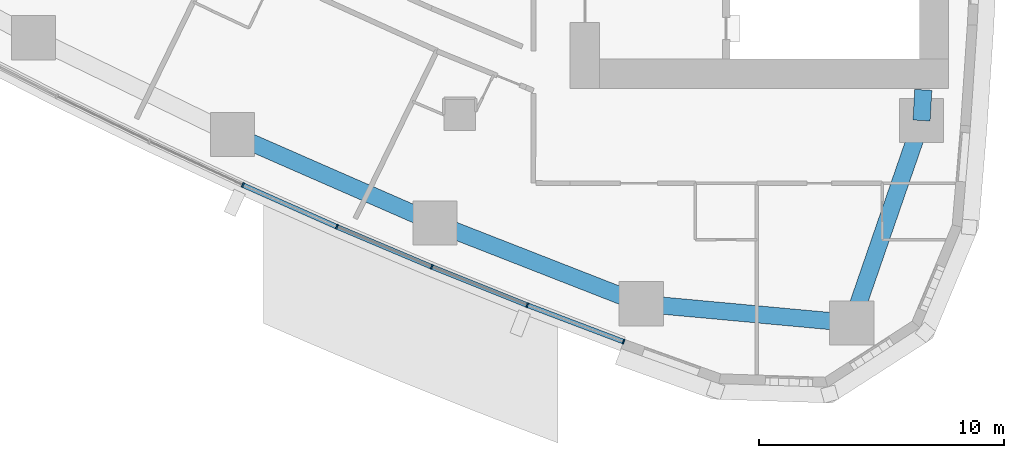
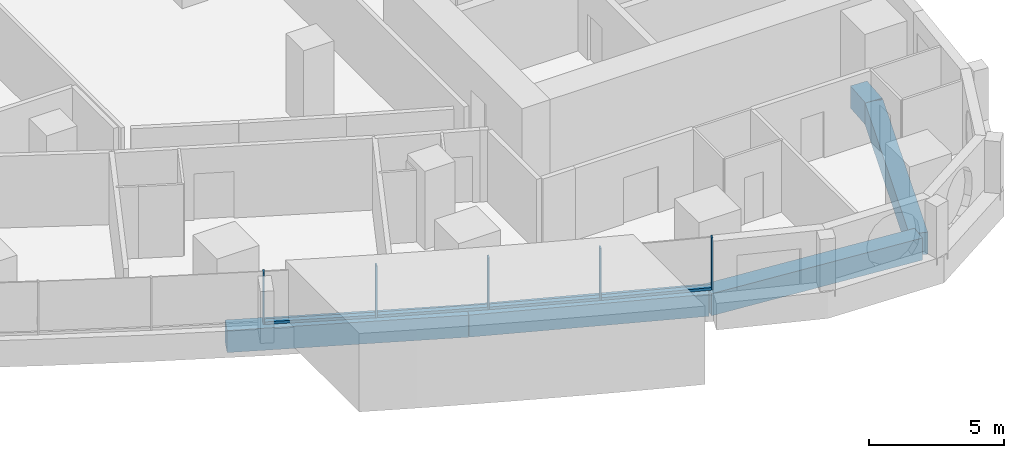
# One storey, part 3 of 19: 9 members, 5 beams, 3 elements without a shape of their own.
"""IFC4 building model written with IfcOpenShell, lengths in metres."""

from ifc_helpers import new_model, si_unit, direction, frame, origin, origin_2d, place, context, subcontext, project, spatial, rectangle, extrude, material, layer, layer_set, material_profile, profile_set, type_object, element, aggregate, save


model = new_model("IFC4")

# Units and contexts
model_context = context("Model", 3, precision=1e-05, world=origin(), true_north=direction((0.0, 1.0)))
body_context = subcontext(model_context, "Body", "Model", "MODEL_VIEW")
ifc_project = project(units=[si_unit("LENGTHUNIT", "METRE"), si_unit("AREAUNIT", "SQUARE_METRE"), si_unit("VOLUMEUNIT", "CUBIC_METRE"), si_unit("PLANEANGLEUNIT", "RADIAN"), si_unit("MASSUNIT", "GRAM", prefix="KILO")], contexts=[model_context])

# Site, building, storey
site_placement = place(None, origin())
site = spatial("IfcSite", under=ifc_project, at=site_placement, CompositionType="ELEMENT")
building_placement = place(site_placement, origin())
building = spatial("IfcBuilding", under=site, at=building_placement, Name="Ostrand Prow Hotel Tower", CompositionType="ELEMENT")
storey_placement = place(building_placement, frame((0.0, 0.0, 64.449951171875)))
storey = spatial("IfcBuildingStorey", under=building, at=storey_placement, Name="L14", CompositionType="ELEMENT", Elevation=64.449951171875)

# Beams
ifc_material_1 = material(Name="Concrete C80/95", Category="concrete")
ifc_material_profile_1 = material_profile(ifc_material_1, rectangle(XDim=0.699951171875, YDim=1.0, at=origin_2d()), Name="RC 700x1000")
ifc_profile_set_1 = profile_set([ifc_material_profile_1], Name="Concrete C80/95")
beam_type = type_object("IfcBeamType", Name="Edge beam 700x1000 C80/95", PredefinedType="SPANDREL", material=ifc_profile_set_1)
for number, where, z_axis, x_axis, name in (
    (1, (35.7412109375, -18.814208984375, -0.800048828125), (0.916095776162, -0.400959510297, 0.0), (0.400959510297, 0.916095776162, 0.0), "Edge beam S4-S5"),
    (2, (43.997802734375, -22.427978515625, -0.800048828125), (0.931329480916, -0.364177701098, 0.0), (0.364177701098, 0.931329480916, 0.0), "Edge beam S5-S6"),
):
    element("IfcBeam", number, at=place(storey_placement, frame(where, z_axis=z_axis, x_axis=x_axis)), inside=storey, type_object=beam_type, Name=name, PredefinedType="SPANDREL", context=body_context, shape_type="SweptSolid", body=[
        extrude(rectangle(XDim=0.699951171875, YDim=1.0, at=origin_2d()), origin(), (0.0, 0.0, 1.0), 9.0126953125),
    ])
beam_1_placement = place(storey_placement, frame((52.3916015625, -25.710205078125, -0.800048828125), z_axis=(0.995800189514, -0.091553167961, 0.0), x_axis=(0.091553167961, 0.995800189514, 0.0)))
element("IfcBeam", 3, at=beam_1_placement, inside=storey, type_object=beam_type, Name="Edge beam S6-SE", PredefinedType="SPANDREL", context=body_context, shape_type="SweptSolid", body=[
    extrude(rectangle(XDim=0.699951171875, YDim=1.0, at=origin_2d()), origin(), (0.0, 0.0, 1.0), 8.610595703125),
])
beam_2_placement = place(storey_placement, frame((60.966064453125, -26.49853515625, -0.800048828125), z_axis=(0.326263961413, 0.945278703602, 0.0), x_axis=(-0.945278703602, 0.326263961413, 0.0)))
element("IfcBeam", 4, at=beam_2_placement, inside=storey, type_object=beam_type, Name="Edge beam SE-B1", PredefinedType="SPANDREL", context=body_context, shape_type="SweptSolid", body=[
    extrude(rectangle(XDim=0.699951171875, YDim=1.0, at=origin_2d()), origin(), (0.0, 0.0, 1.0), 8.727294921875),
])
beam_3_placement = place(storey_placement, frame((63.8134765625, -18.248779296875, -0.800048828125), z_axis=(0.056215946509, 0.998418633319, 0.0), x_axis=(-0.998418633319, 0.056215946509, 0.0)))
element("IfcBeam", 5, at=beam_3_placement, inside=storey, type_object=beam_type, Name="Edge beam B1-B2", PredefinedType="SPANDREL", context=body_context, shape_type="SweptSolid", body=[
    extrude(rectangle(XDim=0.699951171875, YDim=1.0, at=origin_2d()), origin(), (0.0, 0.0, 1.0), 1.250732421875),
])

# Curtain wall, member
ifc_material_2 = material(Name="Insulated glass in bronze anodised frame", Category="glass")
ifc_layer = layer(ifc_material_2, 0.199951171875)
ifc_layer_set = layer_set([ifc_layer], Name="Insulated glass in bronze anodised frame")
curtain_wall_type = type_object("IfcCurtainWallType", Name="Strip curtain wall, fritted glass over bronze spandrel", PredefinedType="NOTDEFINED", material=ifc_layer_set)
curtain_wall_1_placement = place(storey_placement, origin())
curtain_wall_1 = element("IfcCurtainWall", 6, at=curtain_wall_1_placement, inside=storey, type_object=curtain_wall_type, Name="CW1 run CWS3", PredefinedType="NOTDEFINED")
ifc_material_3 = material(Name="Bronze anodised aluminium", Category="aluminium")
ifc_material_profile_2 = material_profile(ifc_material_3, rectangle(XDim=0.199951171875, YDim=0.06005859375, at=origin_2d()), Name="Mullion 60x200 bronze anodised aluminium")
ifc_profile_set_2 = profile_set([ifc_material_profile_2], Name="Bronze anodised aluminium")
member_type_1 = type_object("IfcMemberType", Name="Mullion 60x200 bronze anodised aluminium", PredefinedType="MULLION", material=ifc_profile_set_2)
member_1_placement = place(storey_placement, frame((36.162109375, -20.876953125, 0.900146484375), z_axis=(0.0, 0.0, 1.0), x_axis=(0.422529678615, 0.906349088757, 0.0)))
member_1 = element("IfcMember", 7, at=member_1_placement, type_object=member_type_1, Name="CW1 mullion 3", PredefinedType="MULLION", context=body_context, shape_type="SweptSolid", body=[
    extrude(rectangle(XDim=0.199951171875, YDim=0.06005859375, at=origin_2d()), origin(), (0.0, 0.0, 1.0), 2.349853515625),
])
aggregate(curtain_wall_1, [member_1])

# Curtain wall, members
curtain_wall_2_placement = place(storey_placement, origin())
curtain_wall_2 = element("IfcCurtainWall", 8, at=curtain_wall_2_placement, inside=storey, type_object=curtain_wall_type, Name="CW1 run CWS4", PredefinedType="NOTDEFINED")
member_2_placement = place(storey_placement, frame((39.99560546875, -22.5791015625, 0.900146484375), z_axis=(0.0, 0.0, 1.0), x_axis=(0.388892418709, 0.921283173987, 0.0)))
member_2 = element("IfcMember", 9, at=member_2_placement, type_object=member_type_1, Name="CW1 mullion 2", PredefinedType="MULLION", context=body_context, shape_type="SweptSolid", body=[
    extrude(rectangle(XDim=0.199951171875, YDim=0.06005859375, at=origin_2d()), origin(), (0.0, 0.0, 1.0), 2.349853515625),
])
member_3_placement = place(storey_placement, frame((43.859619140625, -24.210205078125, 0.900146484375), z_axis=(0.0, 0.0, 1.0), x_axis=(0.388892418709, 0.921283173987, 0.0)))
member_3 = element("IfcMember", 10, at=member_3_placement, type_object=member_type_1, Name="CW1 mullion 3", PredefinedType="MULLION", context=body_context, shape_type="SweptSolid", body=[
    extrude(rectangle(XDim=0.199951171875, YDim=0.06005859375, at=origin_2d()), origin(), (0.0, 0.0, 1.0), 2.349853515625),
])

curtain_wall_3_placement = place(storey_placement, origin())
curtain_wall_3 = element("IfcCurtainWall", 11, at=curtain_wall_3_placement, inside=storey, type_object=curtain_wall_type, Name="CW1 run CWS5", PredefinedType="NOTDEFINED")
member_4_placement = place(storey_placement, frame((47.7529296875, -25.769775390625, 0.900146484375), z_axis=(0.0, 0.0, 1.0), x_axis=(0.354728407072, 0.934969388384, 0.0)))
member_4 = element("IfcMember", 12, at=member_4_placement, type_object=member_type_1, Name="CW1 mullion 2", PredefinedType="MULLION", context=body_context, shape_type="SweptSolid", body=[
    extrude(rectangle(XDim=0.199951171875, YDim=0.06005859375, at=origin_2d()), origin(), (0.0, 0.0, 1.0), 2.349853515625),
])
member_5_placement = place(storey_placement, frame((51.674560546875, -27.2578125, 0.900146484375), z_axis=(0.0, 0.0, 1.0), x_axis=(0.354728407072, 0.934969388384, 0.0)))
member_5 = element("IfcMember", 13, at=member_5_placement, type_object=member_type_1, Name="CW1 mullion 3", PredefinedType="MULLION", context=body_context, shape_type="SweptSolid", body=[
    extrude(rectangle(XDim=0.199951171875, YDim=0.06005859375, at=origin_2d()), origin(), (0.0, 0.0, 1.0), 2.349853515625),
])

# Member
ifc_material_4 = material(Name="Bronze anodised aluminium", Category="aluminium")
ifc_material_profile_3 = material_profile(ifc_material_4, rectangle(XDim=0.199951171875, YDim=0.1201171875, at=origin_2d()), Name="Transom 120x200 bronze anodised aluminium")
ifc_profile_set_3 = profile_set([ifc_material_profile_3], Name="Bronze anodised aluminium")
member_type_2 = type_object("IfcMemberType", Name="Transom 120x200 bronze anodised aluminium", PredefinedType="USERDEFINED", material=ifc_profile_set_3)
member_6_placement = place(storey_placement, frame((36.189453125, -20.88916015625, 0.9599609375), z_axis=(0.913957599094, -0.405809693156, 0.0), x_axis=(0.405809693156, 0.913957599094, 0.0)))
member_6 = element("IfcMember", 14, at=member_6_placement, type_object=member_type_2, Name="CW1 transom 1.1", ObjectType="TRANSOM", PredefinedType="USERDEFINED", context=body_context, shape_type="SweptSolid", body=[
    extrude(rectangle(XDim=0.199951171875, YDim=0.1201171875, at=origin_2d()), origin(), (0.0, 0.0, 1.0), 4.13427734375),
])

member_7_placement = place(storey_placement, frame((40.023193359375, -22.5908203125, 0.9599609375), z_axis=(0.921284828297, -0.388888499637, 0.0), x_axis=(0.388888499637, 0.921284828297, 0.0)))
member_7 = element("IfcMember", 15, at=member_7_placement, type_object=member_type_2, Name="CW1 transom 2.1", ObjectType="TRANSOM", PredefinedType="USERDEFINED", context=body_context, shape_type="SweptSolid", body=[
    extrude(rectangle(XDim=0.199951171875, YDim=0.1201171875, at=origin_2d()), origin(), (0.0, 0.0, 1.0), 4.134033203125),
])

aggregate(curtain_wall_2, [member_2, member_3, member_6, member_7])

member_8_placement = place(storey_placement, frame((43.887451171875, -24.22119140625, 0.9599609375), z_axis=(0.928264761225, -0.371920062739, 0.0), x_axis=(0.371920062739, 0.928264761225, 0.0)))
member_8 = element("IfcMember", 16, at=member_8_placement, type_object=member_type_2, Name="CW1 transom 1.1", ObjectType="TRANSOM", PredefinedType="USERDEFINED", context=body_context, shape_type="SweptSolid", body=[
    extrude(rectangle(XDim=0.199951171875, YDim=0.1201171875, at=origin_2d()), origin(), (0.0, 0.0, 1.0), 4.13427734375),
])

member_9_placement = place(storey_placement, frame((47.781005859375, -25.780517578125, 0.9599609375), z_axis=(0.93497051437, -0.354725439261, 0.0), x_axis=(0.354725439261, 0.93497051437, 0.0)))
member_9 = element("IfcMember", 17, at=member_9_placement, type_object=member_type_2, Name="CW1 transom 2.1", ObjectType="TRANSOM", PredefinedType="USERDEFINED", context=body_context, shape_type="SweptSolid", body=[
    extrude(rectangle(XDim=0.199951171875, YDim=0.1201171875, at=origin_2d()), origin(), (0.0, 0.0, 1.0), 4.13427734375),
])

aggregate(curtain_wall_3, [member_4, member_5, member_8, member_9])

save(model, "model.ifc")
